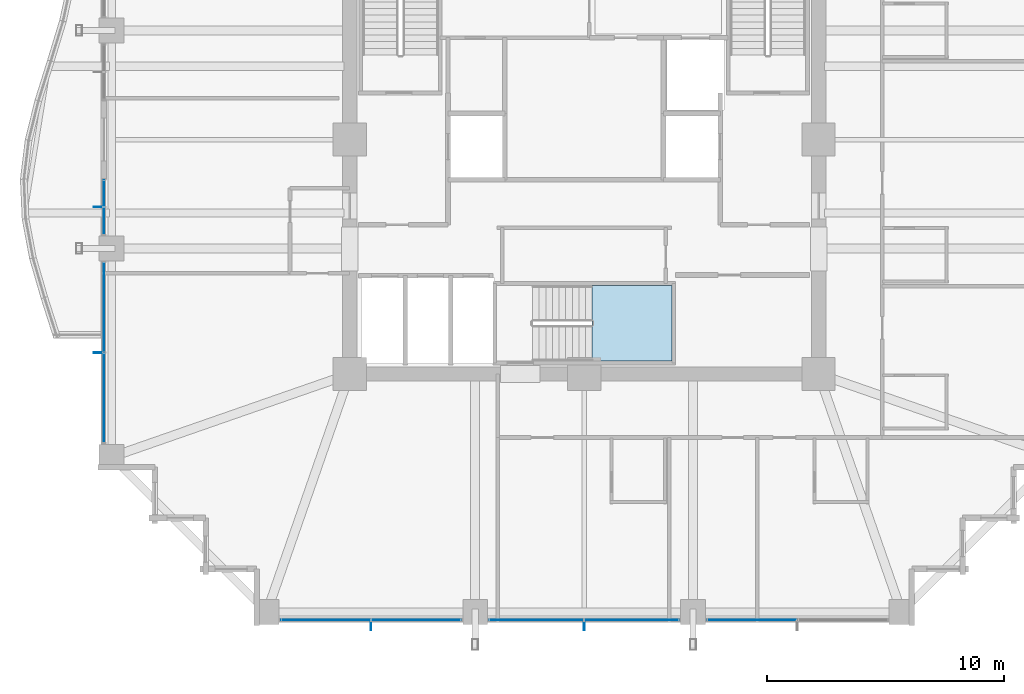
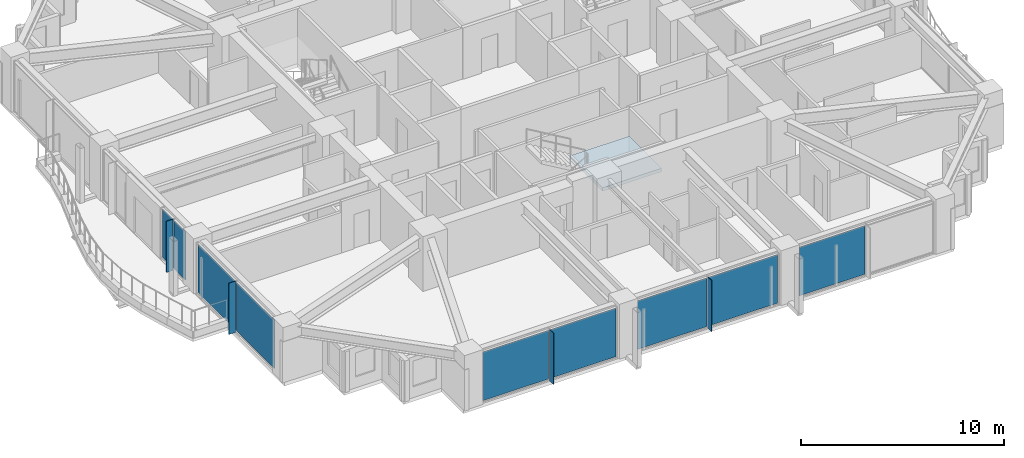
# One storey, part 25 of 37: 13 plates, 1 slab, 6 elements without a shape of their own.
"""IFC4 building model written with IfcOpenShell, lengths in metres."""

from ifc_helpers import new_model, si_unit, direction, frame, origin, origin_2d, place, context, subcontext, project, spatial, polyline, rectangle, outline, extrude, material, layer, layer_set, type_object, element, aggregate, save


model = new_model("IFC4")

# Units and contexts
model_context = context("Model", 3, precision=1e-05, world=origin(), true_north=direction((0.0, 1.0)))
body_context = subcontext(model_context, "Body", "Model", "MODEL_VIEW")
ifc_project = project(units=[si_unit("LENGTHUNIT", "METRE"), si_unit("AREAUNIT", "SQUARE_METRE"), si_unit("VOLUMEUNIT", "CUBIC_METRE"), si_unit("PLANEANGLEUNIT", "RADIAN"), si_unit("MASSUNIT", "GRAM", prefix="KILO")], contexts=[model_context])

# Site, building, storey
site_placement = place(None, origin())
site = spatial("IfcSite", under=ifc_project, at=site_placement, CompositionType="ELEMENT")
building_placement = place(site_placement, origin())
building = spatial("IfcBuilding", under=site, at=building_placement, Name="Kolvaren Belvedere", CompositionType="ELEMENT")
storey_placement = place(building_placement, frame((0.0, 0.0, 75.5)))
storey = spatial("IfcBuildingStorey", under=building, at=storey_placement, Name="L21", CompositionType="ELEMENT", Elevation=75.5)

# Curtain wall, plate
ifc_material_1 = material(Name="Anodised pale-metal aluminium AA 6063-T6", Category="aluminium")
curtain_wall_type = type_object("IfcCurtainWallType", Name="CW-Z2-MID", PredefinedType="NOTDEFINED", material=ifc_material_1)
curtain_wall_1_placement = place(storey_placement, origin())
curtain_wall_1 = element("IfcCurtainWall", 1, at=curtain_wall_1_placement, inside=storey, type_object=curtain_wall_type, Name="L21 Unitised Curtain Wall FCW-L21-S-B1", PredefinedType="NOTDEFINED")
ifc_material_2 = material(Name="Low-iron triple insulated glass", Category="glass")
ifc_layer_1 = layer(ifc_material_2, 0.028076171875)
ifc_layer_set_1 = layer_set([ifc_layer_1], Name="Low-iron triple insulated glass")
plate_type_1 = type_object("IfcPlateType", Name="CW-PNL-VIS28", PredefinedType="CURTAIN_PANEL", material=ifc_layer_set_1)
plate_1_placement = place(storey_placement, frame((7.0888671875, -20.280029296875, 0.080078125), z_axis=(0.0, 0.0, 1.0), x_axis=(-1.0, 0.0, 0.0)))
plate_1 = element("IfcPlate", 2, at=plate_1_placement, type_object=plate_type_1, Name="FCW-L21-S-B1 Vision Glazing Panel 2", PredefinedType="CURTAIN_PANEL", context=body_context, shape_type="SweptSolid", body=[
    extrude(rectangle(XDim=3.742431640625, YDim=0.028076171875, at=origin_2d()), origin(), (0.0, 0.0, 1.0), 2.919921875),
])
aggregate(curtain_wall_1, [plate_1])

# Curtain wall, plates
curtain_wall_2_placement = place(storey_placement, origin())
curtain_wall_2 = element("IfcCurtainWall", 3, at=curtain_wall_2_placement, inside=storey, type_object=curtain_wall_type, Name="L21 Unitised Curtain Wall FCW-L21-S-B2", PredefinedType="NOTDEFINED")
plate_2_placement = place(storey_placement, frame((2.01123046875, -20.280029296875, 0.080078125), z_axis=(0.0, 0.0, 1.0), x_axis=(-1.0, 0.0, 0.0)))
plate_2 = element("IfcPlate", 4, at=plate_2_placement, type_object=plate_type_1, Name="FCW-L21-S-B2 Vision Glazing Panel 1", PredefinedType="CURTAIN_PANEL", context=body_context, shape_type="SweptSolid", body=[
    extrude(rectangle(XDim=3.9423828125, YDim=0.028076171875, at=origin_2d()), origin(), (0.0, 0.0, 1.0), 2.919921875),
])
plate_3_placement = place(storey_placement, frame((-2.01123046875, -20.280029296875, 0.080078125), z_axis=(0.0, 0.0, 1.0), x_axis=(-1.0, 0.0, 0.0)))
plate_3 = element("IfcPlate", 5, at=plate_3_placement, type_object=plate_type_1, Name="FCW-L21-S-B2 Vision Glazing Panel 2", PredefinedType="CURTAIN_PANEL", context=body_context, shape_type="SweptSolid", body=[
    extrude(rectangle(XDim=3.9423828125, YDim=0.028076171875, at=origin_2d()), origin(), (0.0, 0.0, 1.0), 2.919921875),
])
aggregate(curtain_wall_2, [plate_2, plate_3])

curtain_wall_3_placement = place(storey_placement, origin())
curtain_wall_3 = element("IfcCurtainWall", 6, at=curtain_wall_3_placement, inside=storey, type_object=curtain_wall_type, Name="L21 Unitised Curtain Wall FCW-L21-S-B3", PredefinedType="NOTDEFINED")
plate_4_placement = place(storey_placement, frame((-7.0888671875, -20.280029296875, 0.080078125), z_axis=(0.0, 0.0, 1.0), x_axis=(-1.0, 0.0, 0.0)))
plate_4 = element("IfcPlate", 7, at=plate_4_placement, type_object=plate_type_1, Name="FCW-L21-S-B3 Vision Glazing Panel 1", PredefinedType="CURTAIN_PANEL", context=body_context, shape_type="SweptSolid", body=[
    extrude(rectangle(XDim=3.742431640625, YDim=0.028076171875, at=origin_2d()), origin(), (0.0, 0.0, 1.0), 2.919921875),
])
plate_5_placement = place(storey_placement, frame((-10.9111328125, -20.280029296875, 0.080078125), z_axis=(0.0, 0.0, 1.0), x_axis=(-1.0, 0.0, 0.0)))
plate_5 = element("IfcPlate", 8, at=plate_5_placement, type_object=plate_type_1, Name="FCW-L21-S-B3 Vision Glazing Panel 2", PredefinedType="CURTAIN_PANEL", context=body_context, shape_type="SweptSolid", body=[
    extrude(rectangle(XDim=3.742431640625, YDim=0.028076171875, at=origin_2d()), origin(), (0.0, 0.0, 1.0), 2.919921875),
])
aggregate(curtain_wall_3, [plate_4, plate_5])

curtain_wall_4_placement = place(storey_placement, origin())
curtain_wall_4 = element("IfcCurtainWall", 9, at=curtain_wall_4_placement, inside=storey, type_object=curtain_wall_type, Name="L21 Unitised Curtain Wall FCW-L21-W1-B1", PredefinedType="NOTDEFINED")
plate_6_placement = place(storey_placement, frame((-20.280029296875, -10.9111328125, 0.080078125), z_axis=(0.0, 0.0, 1.0), x_axis=(0.0, 1.0, 0.0)))
plate_6 = element("IfcPlate", 10, at=plate_6_placement, type_object=plate_type_1, Name="FCW-L21-W1-B1 Vision Glazing Panel 1", PredefinedType="CURTAIN_PANEL", context=body_context, shape_type="SweptSolid", body=[
    extrude(rectangle(XDim=3.742431640625, YDim=0.028076171875, at=origin_2d()), origin(), (0.0, 0.0, 1.0), 2.919921875),
])
plate_7_placement = place(storey_placement, frame((-20.280029296875, -7.0888671875, 0.080078125), z_axis=(0.0, 0.0, 1.0), x_axis=(0.0, 1.0, 0.0)))
plate_7 = element("IfcPlate", 11, at=plate_7_placement, type_object=plate_type_1, Name="FCW-L21-W1-B1 Vision Glazing Panel 2", PredefinedType="CURTAIN_PANEL", context=body_context, shape_type="SweptSolid", body=[
    extrude(rectangle(XDim=3.742431640625, YDim=0.028076171875, at=origin_2d()), origin(), (0.0, 0.0, 1.0), 2.919921875),
])
aggregate(curtain_wall_4, [plate_6, plate_7])

curtain_wall_5_placement = place(storey_placement, origin())
curtain_wall_5 = element("IfcCurtainWall", 12, at=curtain_wall_5_placement, inside=storey, type_object=curtain_wall_type, Name="L21 Unitised Curtain Wall FCW-L21-W1-B2", PredefinedType="NOTDEFINED")
plate_8_placement = place(storey_placement, frame((-20.280029296875, -3.43701171875, 0.080078125), z_axis=(0.0, 0.0, 1.0), x_axis=(0.0, 1.0, 0.0)))
plate_8 = element("IfcPlate", 13, at=plate_8_placement, type_object=plate_type_1, Name="FCW-L21-W1-B2 Vision Glazing Panel 1", PredefinedType="CURTAIN_PANEL", context=body_context, shape_type="SweptSolid", body=[
    extrude(rectangle(XDim=1.09130859375, YDim=0.028076171875, at=origin_2d()), origin(), (0.0, 0.0, 1.0), 2.919921875),
])
plate_9_placement = place(storey_placement, frame((-20.280029296875, -2.265625, 0.080078125), z_axis=(0.0, 0.0, 1.0), x_axis=(0.0, 1.0, 0.0)))
plate_9 = element("IfcPlate", 14, at=plate_9_placement, type_object=plate_type_1, Name="FCW-L21-W1-B2 Vision Glazing Panel 2", PredefinedType="CURTAIN_PANEL", context=body_context, shape_type="SweptSolid", body=[
    extrude(rectangle(XDim=1.09130859375, YDim=0.028076171875, at=origin_2d()), origin(), (0.0, 0.0, 1.0), 2.919921875),
])
aggregate(curtain_wall_5, [plate_8, plate_9])

# Plates
ifc_material_3 = material(Name="Anodised pale-metal aluminium AA 6063-T6", Category="aluminium")
ifc_layer_2 = layer(ifc_material_3, 0.033935546875)
ifc_layer_set_2 = layer_set([ifc_layer_2], Name="Anodised pale-metal aluminium AA 6063-T6")
plate_type_2 = type_object("IfcPlateType", Name="FIN-VERT-380", PredefinedType="USERDEFINED", material=ifc_layer_set_2)
for number, where, z_axis, x_axis, name in (
    (15, (0.0, -20.52490234375, 0.0), (0.0, 0.0, 1.0), (0.0, 1.0, 0.0), "L21 Pale-Metal Vertical Shading Fin FCW-L21-S-B2-1"),
    (16, (-9.0, -20.52490234375, 0.0), (0.0, 0.0, 1.0), (0.0, 1.0, 0.0), "L21 Pale-Metal Vertical Shading Fin FCW-L21-S-B3-1"),
    (17, (-20.52490234375, -9.0, 0.0), (0.0, 0.0, 1.0), (1.0, 0.0, 0.0), "L21 Pale-Metal Vertical Shading Fin FCW-L21-W1-B1-1"),
    (18, (-20.52490234375, -2.851318359375, 0.0), (0.0, 0.0, 1.0), (1.0, 0.0, 0.0), "L21 Pale-Metal Vertical Shading Fin FCW-L21-W1-B2-1"),
):
    element("IfcPlate", number, at=place(storey_placement, frame(where, z_axis=z_axis, x_axis=x_axis)), inside=storey, type_object=plate_type_2, Name=name, ObjectType="VERTICAL FIN", PredefinedType="USERDEFINED", context=body_context, shape_type="SweptSolid", body=[
        extrude(rectangle(XDim=0.3798828125, YDim=0.033935546875, at=origin_2d()), origin(), (0.0, 0.0, 1.0), 3.080078125),
    ])

# Stair, slab
ifc_material_4 = material(Name="Concrete C50/60", Category="concrete")
stair_type = type_object("IfcStairType", Name="ST-CORE-1520", PredefinedType="HALF_TURN_STAIR", material=ifc_material_4)
stair_placement = place(storey_placement, origin())
stair = element("IfcStair", 19, at=stair_placement, inside=storey, type_object=stair_type, Name="L21 Protected Exit Stair ST-3", PredefinedType="HALF_TURN_STAIR")
ifc_material_5 = material(Name="Concrete C50/60", Category="concrete")
ifc_layer_3 = layer(ifc_material_5, 0.260009765625)
ifc_layer_set_3 = layer_set([ifc_layer_3], Name="Concrete C50/60")
slab_type = type_object("IfcSlabType", Name="SL-LAND-260", PredefinedType="LANDING", material=ifc_layer_set_3)
slab_placement = place(storey_placement, frame((0.0, 0.0, 1.449951171875)))
slab = element("IfcSlab", 20, at=slab_placement, type_object=slab_type, Name="ST-3 landing 1", PredefinedType="LANDING", context=body_context, shape_type="SweptSolid", body=[
    extrude(outline(polyline([(0.340087890625, -9.35009765625), (3.699951171875, -9.35009765625), (3.699951171875, -6.159912109375), (0.340087890625, -6.159912109375), (0.340087890625, -9.35009765625)])), origin(), (0.0, 0.0, 1.0), 0.199951171875),
])
aggregate(stair, [slab])

save(model, "model.ifc")
